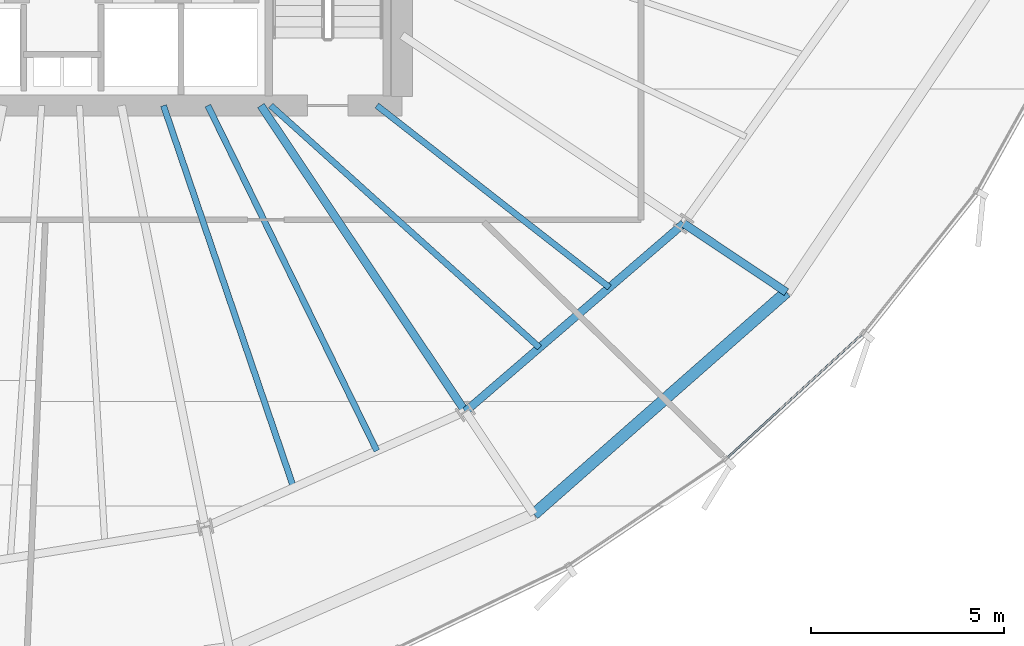
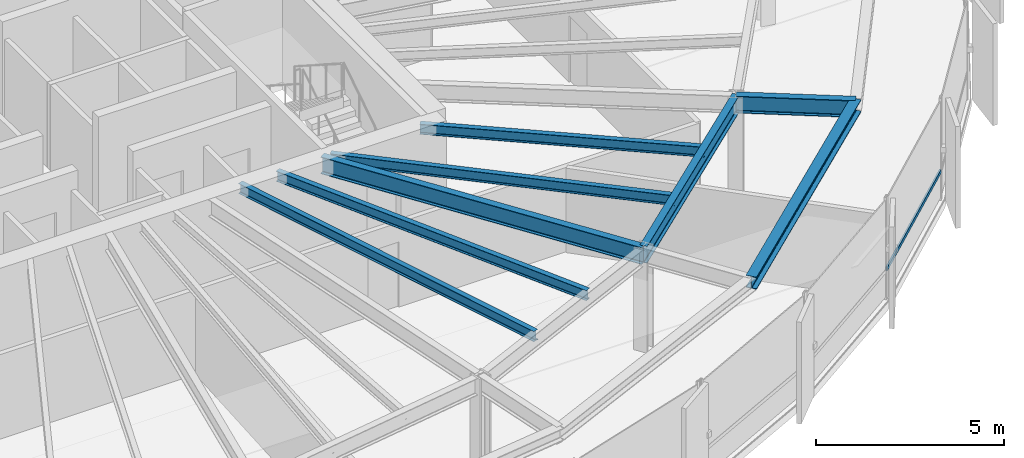
# One storey, part 13 of 35: 8 beams, 1 member, 1 element without a shape of its own.
"""IFC4 building model written with IfcOpenShell, lengths in metres."""

from ifc_helpers import new_model, si_unit, direction, frame, origin, origin_2d, place, context, subcontext, project, spatial, hollow_rectangle, i_section, extrude, source, transform, mapped, material, layer, layer_set, material_profile, profile_set, type_object, element, aggregate, save


model = new_model("IFC4")

# Units and contexts
model_context = context("Model", 3, precision=1e-05, world=origin(), true_north=direction((0.0, 1.0)))
body_context = subcontext(model_context, "Body", "Model", "MODEL_VIEW")
ifc_project = project(units=[si_unit("LENGTHUNIT", "METRE"), si_unit("AREAUNIT", "SQUARE_METRE"), si_unit("VOLUMEUNIT", "CUBIC_METRE"), si_unit("PLANEANGLEUNIT", "RADIAN"), si_unit("MASSUNIT", "GRAM", prefix="KILO"), si_unit("THERMODYNAMICTEMPERATUREUNIT", "KELVIN")], contexts=[model_context])

# Site, building, storey
site_placement = place(None, origin())
site = spatial("IfcSite", under=ifc_project, at=site_placement, CompositionType="ELEMENT")
building_placement = place(site_placement, origin())
building = spatial("IfcBuilding", under=site, at=building_placement, Name="Kethvar Cultural Tower", CompositionType="ELEMENT")
storey_placement = place(building_placement, frame((0.0, 0.0, 121.60009765625)))
storey = spatial("IfcBuildingStorey", under=building, at=storey_placement, Name="L30", CompositionType="ELEMENT", Elevation=121.60009765625)

# Beams
ifc_material_1 = material(Name="Steel S355J2", Category="steel")
ifc_material_profile_1 = material_profile(ifc_material_1, i_section(OverallWidth=0.2099609375, OverallDepth=0.550048828125, WebThickness=0.010986328125, FlangeThickness=0.01708984375, FilletRadius=0.02392578125, at=origin_2d()), Name="Steel S355J2 — IPE550")
ifc_profile_set_1 = profile_set([ifc_material_profile_1], Name="Steel S355J2 — IPE550")
beam_type_1 = type_object("IfcBeamType", Name="BM-IPE550", PredefinedType="BEAM", material=ifc_profile_set_1)
shared_shape_1 = source(origin(), body_context, "Body", "SweptSolid", [
    extrude(i_section(OverallWidth=0.2099609375, OverallDepth=0.550048828125, WebThickness=0.010986328125, FlangeThickness=0.01708984375, FilletRadius=0.02392578125, at=origin_2d()), origin(), (0.0, 0.0, 1.0), 3.199951171875),
])
beam_1_placement = place(storey_placement, frame((62.898681640625, 17.043212890625, 3.072998046875), z_axis=(0.831462943996, -0.555580212716, 0.0), x_axis=(0.555580212716, 0.831462943996, 0.0)))
element("IfcBeam", 1, at=beam_1_placement, inside=storey, type_object=beam_type_1, Name="L30 Perimeter Cantilever Beam RC-15", PredefinedType="BEAM", context=body_context, shape_type="MappedRepresentation", body=[
    mapped(shared_shape_1, transform((0.0, 0.0, 0.0), scale=1.0)),
])
shared_shape_2 = source(origin(), body_context, "Body", "SweptSolid", [
    extrude(i_section(OverallWidth=0.2099609375, OverallDepth=0.550048828125, WebThickness=0.010986328125, FlangeThickness=0.01708984375, FilletRadius=0.02392578125, at=origin_2d()), origin(), (0.0, 0.0, 1.0), 9.534423828125),
])
beam_2_placement = place(storey_placement, frame((51.945068359375, 20.10009765625, 3.072998046875), z_axis=(0.555550817894, -0.831482584747, 0.0), x_axis=(0.831482584747, 0.555550817894, 0.0)))
element("IfcBeam", 2, at=beam_2_placement, inside=storey, type_object=beam_type_1, Name="L30 Primary Radial Beam RB-14", PredefinedType="BEAM", context=body_context, shape_type="MappedRepresentation", body=[
    mapped(shared_shape_2, transform((0.0, 0.0, 0.0), scale=1.0)),
])
ifc_material_profile_2 = material_profile(ifc_material_1, i_section(OverallWidth=0.159912109375, OverallDepth=0.330078125, WebThickness=0.007568359375, FlangeThickness=0.011474609375, FilletRadius=0.01806640625, at=origin_2d()), Name="Steel S355J2 — IPE330")
ifc_profile_set_2 = profile_set([ifc_material_profile_2], Name="Steel S355J2 — IPE330")
beam_type_2 = type_object("IfcBeamType", Name="BM-J330", PredefinedType="JOIST", material=ifc_profile_set_2)
shared_shape_3 = source(origin(), body_context, "Body", "SweptSolid", [
    extrude(i_section(OverallWidth=0.159912109375, OverallDepth=0.330078125, WebThickness=0.007568359375, FlangeThickness=0.011474609375, FilletRadius=0.01806640625, at=origin_2d()), origin(), (0.0, 0.0, 1.0), 10.45947265625),
])
beam_3_placement = place(storey_placement, frame((49.42236328125, 20.10009765625, 3.182861328125), z_axis=(0.322390188368, -0.94660687006, 0.0), x_axis=(0.94660687006, 0.322390188368, 0.0)))
element("IfcBeam", 3, at=beam_3_placement, inside=storey, type_object=beam_type_2, Name="L30 Composite Floor Joist J-13A", PredefinedType="JOIST", context=body_context, shape_type="MappedRepresentation", body=[
    mapped(shared_shape_3, transform((0.0, 0.0, 0.0), scale=1.0)),
])
shared_shape_4 = source(origin(), body_context, "Body", "SweptSolid", [
    extrude(i_section(OverallWidth=0.159912109375, OverallDepth=0.330078125, WebThickness=0.007568359375, FlangeThickness=0.011474609375, FilletRadius=0.01806640625, at=origin_2d()), origin(), (0.0, 0.0, 1.0), 9.959228515625),
])
beam_4_placement = place(storey_placement, frame((50.57080078125, 20.10009765625, 3.182861328125), z_axis=(0.439785134514, -0.898103020516, 0.0), x_axis=(0.898103020516, 0.439785134514, 0.0)))
element("IfcBeam", 4, at=beam_4_placement, inside=storey, type_object=beam_type_2, Name="L30 Composite Floor Joist J-13B", PredefinedType="JOIST", context=body_context, shape_type="MappedRepresentation", body=[
    mapped(shared_shape_4, transform((0.0, 0.0, 0.0), scale=1.0)),
])
shared_shape_5 = source(origin(), body_context, "Body", "SweptSolid", [
    extrude(i_section(OverallWidth=0.2099609375, OverallDepth=0.550048828125, WebThickness=0.010986328125, FlangeThickness=0.01708984375, FilletRadius=0.02392578125, at=origin_2d()), origin(), (0.0, 0.0, 1.0), 7.46484375),
])
beam_5_placement = place(storey_placement, frame((57.241943359375, 12.17236328125, 3.072998046875), z_axis=(0.757784075291, 0.652505398625, 0.0), x_axis=(-0.652505398625, 0.757784075291, 0.0)))
element("IfcBeam", 5, at=beam_5_placement, inside=storey, type_object=beam_type_1, Name="L30 Column Ring Tie Beam CR-14", PredefinedType="BEAM", context=body_context, shape_type="MappedRepresentation", body=[
    mapped(shared_shape_5, transform((0.0, 0.0, 0.0), scale=1.0)),
])
ifc_material_profile_3 = material_profile(ifc_material_1, i_section(OverallWidth=0.300048828125, OverallDepth=0.39990234375, WebThickness=0.013427734375, FlangeThickness=0.02392578125, FilletRadius=0.027099609375, at=origin_2d()), Name="Steel S355J2 — HEB400")
ifc_profile_set_3 = profile_set([ifc_material_profile_3], Name="Steel S355J2 — HEB400")
beam_type_3 = type_object("IfcBeamType", Name="BM-SP400", PredefinedType="SPANDREL", material=ifc_profile_set_3)
shared_shape_6 = source(origin(), body_context, "Body", "SweptSolid", [
    extrude(i_section(OverallWidth=0.300048828125, OverallDepth=0.39990234375, WebThickness=0.013427734375, FlangeThickness=0.02392578125, FilletRadius=0.027099609375, at=origin_2d()), origin(), (0.0, 0.0, 1.0), 8.71044921875),
])
beam_6_placement = place(storey_placement, frame((59.019775390625, 9.51171875, 3.14794921875), z_axis=(0.75077856833, 0.660553965498, 0.0), x_axis=(-0.660553965498, 0.75077856833, 0.0)))
element("IfcBeam", 6, at=beam_6_placement, inside=storey, type_object=beam_type_3, Name="L30 Perimeter Spandrel Beam SP-14", PredefinedType="SPANDREL", context=body_context, shape_type="MappedRepresentation", body=[
    mapped(shared_shape_6, transform((0.0, 0.0, 0.0), scale=1.0)),
])
shared_shape_7 = source(origin(), body_context, "Body", "SweptSolid", [
    extrude(i_section(OverallWidth=0.159912109375, OverallDepth=0.330078125, WebThickness=0.007568359375, FlangeThickness=0.011474609375, FilletRadius=0.01806640625, at=origin_2d()), origin(), (0.0, 0.0, 1.0), 9.372802734375),
])
beam_7_placement = place(storey_placement, frame((52.199951171875, 20.10009765625, 3.182861328125), z_axis=(0.743151656479, -0.669123019685, 0.0), x_axis=(0.669123019685, 0.743151656479, 0.0)))
element("IfcBeam", 7, at=beam_7_placement, inside=storey, type_object=beam_type_2, Name="L30 Composite Floor Joist J-14A", PredefinedType="JOIST", context=body_context, shape_type="MappedRepresentation", body=[
    mapped(shared_shape_7, transform((0.0, 0.0, 0.0), scale=1.0)),
])
shared_shape_8 = source(origin(), body_context, "Body", "SweptSolid", [
    extrude(i_section(OverallWidth=0.159912109375, OverallDepth=0.330078125, WebThickness=0.007568359375, FlangeThickness=0.011474609375, FilletRadius=0.01806640625, at=origin_2d()), origin(), (0.0, 0.0, 1.0), 7.649658203125),
])
beam_8_placement = place(storey_placement, frame((54.949951171875, 20.10009765625, 3.182861328125), z_axis=(0.787671994752, -0.616094821179, 0.0), x_axis=(0.616094821179, 0.787671994752, 0.0)))
element("IfcBeam", 8, at=beam_8_placement, inside=storey, type_object=beam_type_2, Name="L30 Composite Floor Joist J-14B", PredefinedType="JOIST", context=body_context, shape_type="MappedRepresentation", body=[
    mapped(shared_shape_8, transform((0.0, 0.0, 0.0), scale=1.0)),
])

# Curtain wall, member
ifc_material_2 = material(Name="Aluminium 6063-T6", Category="aluminium")
ifc_layer = layer(ifc_material_2, 0.179931640625, Name="Aluminium 6063-T6", Category="aluminium")
ifc_layer_set = layer_set([ifc_layer], Name="Aluminium 6063-T6 (180 mm)")
curtain_wall_type = type_object("IfcCurtainWallType", Name="CW-SYS-03-Z2", PredefinedType="NOTDEFINED", material=ifc_layer_set)
curtain_wall_placement = place(storey_placement, origin())
curtain_wall = element("IfcCurtainWall", 9, at=curtain_wall_placement, inside=storey, type_object=curtain_wall_type, Name="L30 Curtain Wall Run 06", PredefinedType="NOTDEFINED")
ifc_material_profile_4 = material_profile(ifc_material_2, hollow_rectangle(XDim=0.054931640625, YDim=0.1201171875, WallThickness=0.00390625, at=origin_2d()), Name="Aluminium 6063-T6 — RHS120x55x4")
ifc_profile_set_4 = profile_set([ifc_material_profile_4], Name="Aluminium 6063-T6 — RHS120x55x4")
member_type = type_object("IfcMemberType", Name="CW-SYS-03-Z2-TRN", PredefinedType="USERDEFINED", material=ifc_profile_set_4)
shared_shape_9 = source(origin(), body_context, "Body", "SweptSolid", [
    extrude(hollow_rectangle(XDim=0.054931640625, YDim=0.1201171875, WallThickness=0.00390625, at=origin_2d()), origin(), (0.0, 0.0, 1.0), 4.7685546875),
])
member_placement = place(storey_placement, frame((64.022705078125, 10.96826171875, 0.949951171875), z_axis=(0.737011732242, 0.675879949797, 0.0), x_axis=(-0.675879949797, 0.737011732242, 0.0)))
member = element("IfcMember", 10, at=member_placement, type_object=member_type, Name="CW-L30-R06 Transom 3", ObjectType="TRANSOM", PredefinedType="USERDEFINED", context=body_context, shape_type="MappedRepresentation", body=[
    mapped(shared_shape_9, transform((0.0, 0.0, 0.0), scale=1.0)),
])
aggregate(curtain_wall, [member])

save(model, "model.ifc")
